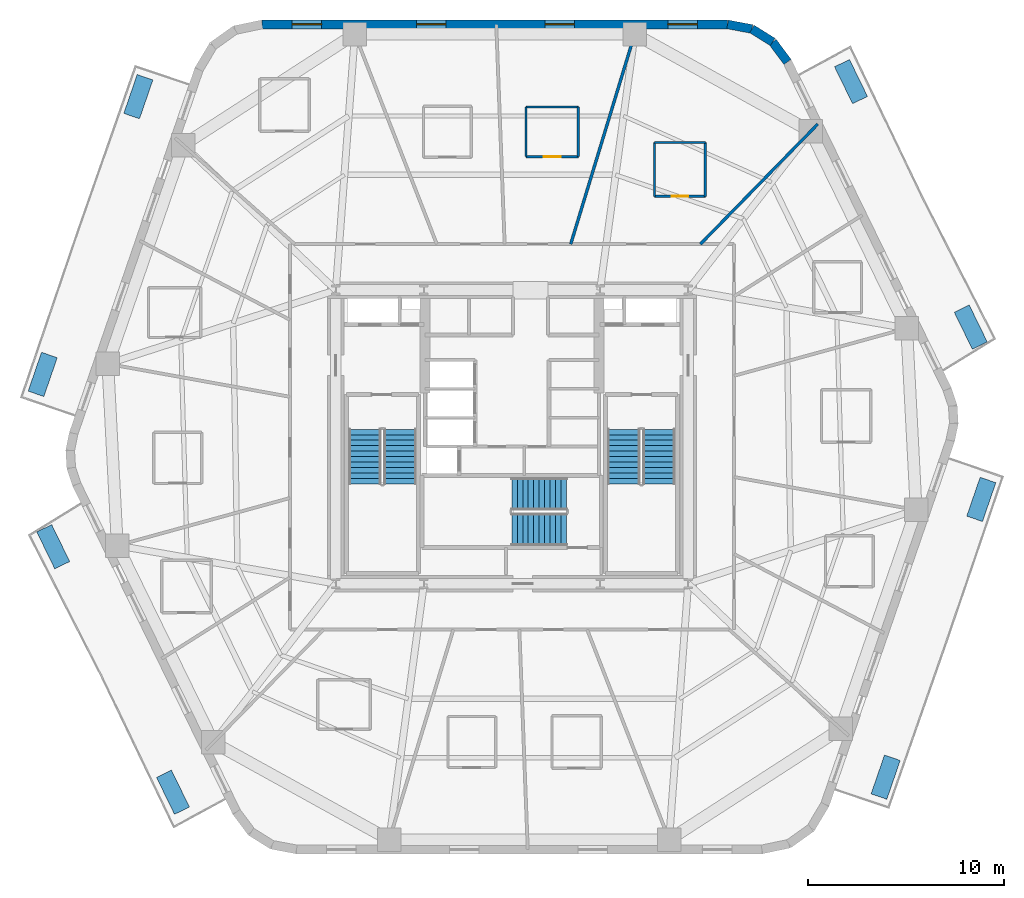
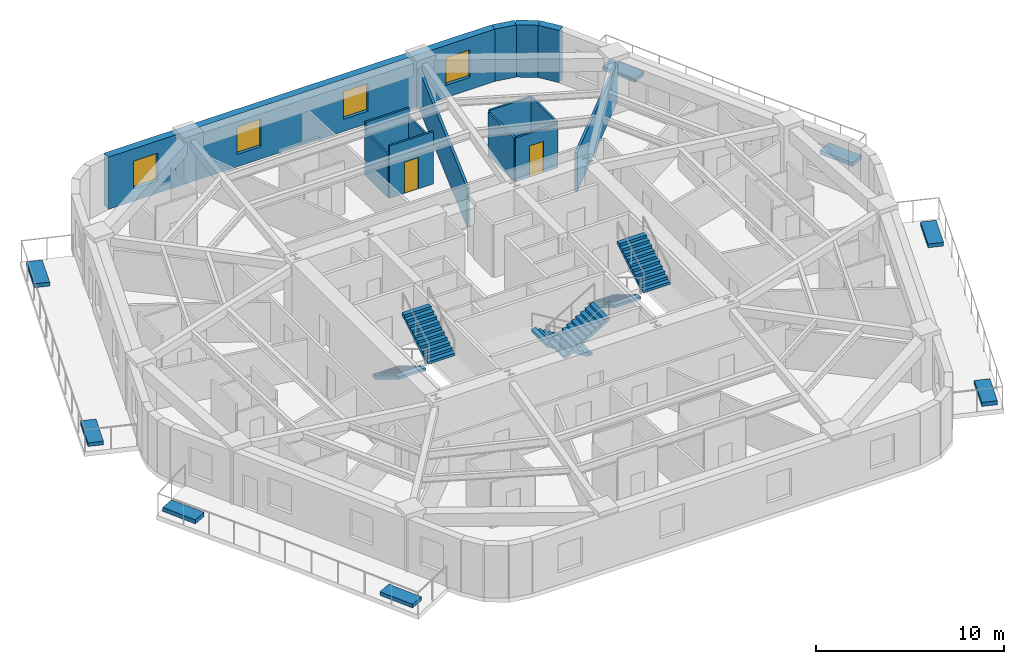
# One storey, part 7 of 10: 14 walls, 8 discrete accessories, 6 stair flights, 4 windows, 2 doors, 6 openings, 3 elements without a shape of their own.
"""IFC4 building model written with IfcOpenShell, lengths in metres."""

from ifc_helpers import new_model, si_unit, direction, frame, frame_2d, origin, origin_2d, place, context, subcontext, project, spatial, polyline, rectangle, outline, extrude, material, layer, layer_set, type_object, element, fill, aggregate, save


model = new_model("IFC4")

# Units and contexts
model_context = context("Model", 3, precision=1e-05, world=origin(), true_north=direction((0.0, 1.0)))
body_context = subcontext(model_context, "Body", "Model", "MODEL_VIEW")
ifc_project = project(units=[si_unit("LENGTHUNIT", "METRE"), si_unit("AREAUNIT", "SQUARE_METRE"), si_unit("VOLUMEUNIT", "CUBIC_METRE"), si_unit("PLANEANGLEUNIT", "RADIAN"), si_unit("MASSUNIT", "GRAM", prefix="KILO")], contexts=[model_context])

# Site, building, storey
site_placement = place(None, origin())
site = spatial("IfcSite", under=ifc_project, at=site_placement, CompositionType="ELEMENT")
building_placement = place(site_placement, origin())
building = spatial("IfcBuilding", under=site, at=building_placement, Name="Kilnhurst Terrace Hotel", CompositionType="ELEMENT")
storey_placement = place(building_placement, frame((0.0, 0.0, 117.300048828125)))
storey = spatial("IfcBuildingStorey", under=building, at=storey_placement, Name="L28", CompositionType="ELEMENT", Elevation=117.300048828125)

# Walls
ifc_material_1 = material(Name="Precast concrete C40/50", Category="concrete")
ifc_layer_1 = layer(ifc_material_1, 0.449951171875, Name="Precast concrete C40/50")
ifc_layer_set_1 = layer_set([ifc_layer_1], Name="Precast concrete C40/50")
wall_type_1 = type_object("IfcWallType", Name="WL-BRK-450", PredefinedType="SOLIDWALL", material=ifc_layer_set_1)
wall_1_placement = place(storey_placement, frame((14.07568359375, 19.16064453125, 0.0), z_axis=(0.0, 0.0, 1.0), x_axis=(-0.597226657159, 0.802072515412, 0.0)))
element("IfcWall", 1, at=wall_1_placement, inside=storey, type_object=wall_type_1, Name="L28 Rounded Corner Brick Wall C4.1", PredefinedType="SOLIDWALL", context=body_context, shape_type="SweptSolid", body=[
    extrude(rectangle(XDim=1.269287109375, YDim=0.449951171875, at=frame_2d((0.634765625, 0.0))), origin(), (0.0, 0.0, 1.0), 3.39990234375),
])
wall_2_placement = place(storey_placement, frame((13.317626953125, 20.1787109375, 0.0), z_axis=(0.0, 0.0, 1.0), x_axis=(-0.848031272749, 0.529946186362, 0.0)))
element("IfcWall", 2, at=wall_2_placement, inside=storey, type_object=wall_type_1, Name="L28 Rounded Corner Brick Wall C4.2", PredefinedType="SOLIDWALL", context=body_context, shape_type="SweptSolid", body=[
    extrude(rectangle(XDim=1.248046875, YDim=0.449951171875, at=frame_2d((0.6240234375, 0.0))), origin(), (0.0, 0.0, 1.0), 3.39990234375),
])
wall_3_placement = place(storey_placement, frame((12.25927734375, 20.840087890625, 0.0), z_axis=(0.0, 0.0, 1.0), x_axis=(-0.982730354425, 0.185043374624, 0.0)))
element("IfcWall", 3, at=wall_3_placement, inside=storey, type_object=wall_type_1, Name="L28 Rounded Corner Brick Wall C4.3", PredefinedType="SOLIDWALL", context=body_context, shape_type="SweptSolid", body=[
    extrude(rectangle(XDim=1.269287109375, YDim=0.449951171875, at=frame_2d((0.634765625, 0.0))), origin(), (0.0, 0.0, 1.0), 3.39990234375),
])

# Wall, openings, windows
wall_4_placement = place(storey_placement, frame((11.011962890625, 21.074951171875, 0.0), z_axis=(0.0, 0.0, 1.0), x_axis=(-1.0, 0.0, 0.0)))
wall_4 = element("IfcWall", 4, at=wall_4_placement, inside=storey, type_object=wall_type_1, Name="L28 Exterior Brick Facade Wall F4", PredefinedType="SOLIDWALL", context=body_context, shape_type="SweptSolid", body=[
    extrude(rectangle(XDim=23.782470703125, YDim=0.449951171875, at=frame_2d((11.89111328125, 0.0))), origin(), (0.0, 0.0, 1.0), 3.39990234375),
])
opening_1_placement = place(wall_4_placement, frame((1.5419921875, 0.0, 0.800048828125)))
opening_1 = element("IfcOpeningElement", 5, at=opening_1_placement, cuts=wall_4, Name="Opening W-02", PredefinedType="OPENING", context=body_context, shape_type="SweptSolid", body=[
    extrude(rectangle(XDim=1.5, YDim=1.800048828125, at=frame_2d((0.75, 0.89990234375))), frame((0.0, 0.23486328125, 0.0), z_axis=(0.0, -1.0, 0.0), x_axis=(1.0, 0.0, 0.0)), (0.0, 0.0, 1.0), 0.469970703125),
])
opening_2_placement = place(wall_4_placement, frame((7.820068359375, 0.0, 0.800048828125)))
opening_2 = element("IfcOpeningElement", 6, at=opening_2_placement, cuts=wall_4, Name="Opening W-02", PredefinedType="OPENING", context=body_context, shape_type="SweptSolid", body=[
    extrude(rectangle(XDim=1.5, YDim=1.800048828125, at=frame_2d((0.75, 0.89990234375))), frame((0.0, 0.23486328125, 0.0), z_axis=(0.0, -1.0, 0.0), x_axis=(1.0, 0.0, 0.0)), (0.0, 0.0, 1.0), 0.469970703125),
])
opening_3_placement = place(wall_4_placement, frame((14.387939453125, 0.0, 0.800048828125)))
opening_3 = element("IfcOpeningElement", 7, at=opening_3_placement, cuts=wall_4, Name="Opening W-02", PredefinedType="OPENING", context=body_context, shape_type="SweptSolid", body=[
    extrude(rectangle(XDim=1.5, YDim=1.800048828125, at=frame_2d((0.75, 0.89990234375))), frame((0.0, 0.23486328125, 0.0), z_axis=(0.0, -1.0, 0.0), x_axis=(1.0, 0.0, 0.0)), (0.0, 0.0, 1.0), 0.469970703125),
])
opening_4_placement = place(wall_4_placement, frame((20.740966796875, 0.0, 0.800048828125)))
opening_4 = element("IfcOpeningElement", 8, at=opening_4_placement, cuts=wall_4, Name="Opening W-02", PredefinedType="OPENING", context=body_context, shape_type="SweptSolid", body=[
    extrude(rectangle(XDim=1.5, YDim=1.800048828125, at=frame_2d((0.75, 0.89990234375))), frame((0.0, 0.23486328125, 0.0), z_axis=(0.0, -1.0, 0.0), x_axis=(1.0, 0.0, 0.0)), (0.0, 0.0, 1.0), 0.469970703125),
])
ifc_material_2 = material(Name="Thermally Broken Bronze Aluminium Alloy 6063-T6 and Low-E Glass", Category="aluminium")
window_type = type_object("IfcWindowType", Name="WIN-1500X1800", PartitioningType="SINGLE_PANEL", PredefinedType="WINDOW", material=ifc_material_2)
window_1_placement = place(opening_1_placement, origin())
window_1 = element("IfcWindow", 9, at=window_1_placement, inside=storey, type_object=window_type, Name="L28 Deep-Set Masonry Window F4.1", OverallHeight=1.800048828125, OverallWidth=1.5, PartitioningType="SINGLE_PANEL", PredefinedType="WINDOW", context=body_context, shape_type="SweptSolid", body=[
    extrude(rectangle(XDim=1.5, YDim=1.800048828125, at=frame_2d((0.75, 0.89990234375))), frame((0.0, 0.030029296875, 0.0), z_axis=(0.0, -1.0, 0.0), x_axis=(1.0, 0.0, 0.0)), (0.0, 0.0, 1.0), 0.06005859375),
])
fill(opening_1, window_1)
window_2_placement = place(opening_2_placement, origin())
window_2 = element("IfcWindow", 10, at=window_2_placement, inside=storey, type_object=window_type, Name="L28 Deep-Set Masonry Window F4.2", OverallHeight=1.800048828125, OverallWidth=1.5, PartitioningType="SINGLE_PANEL", PredefinedType="WINDOW", context=body_context, shape_type="SweptSolid", body=[
    extrude(rectangle(XDim=1.5, YDim=1.800048828125, at=frame_2d((0.75, 0.89990234375))), frame((0.0, 0.030029296875, 0.0), z_axis=(0.0, -1.0, 0.0), x_axis=(1.0, 0.0, 0.0)), (0.0, 0.0, 1.0), 0.06005859375),
])
fill(opening_2, window_2)
window_3_placement = place(opening_3_placement, origin())
window_3 = element("IfcWindow", 11, at=window_3_placement, inside=storey, type_object=window_type, Name="L28 Deep-Set Masonry Window F4.3", OverallHeight=1.800048828125, OverallWidth=1.5, PartitioningType="SINGLE_PANEL", PredefinedType="WINDOW", context=body_context, shape_type="SweptSolid", body=[
    extrude(rectangle(XDim=1.5, YDim=1.800048828125, at=frame_2d((0.75, 0.89990234375))), frame((0.0, 0.030029296875, 0.0), z_axis=(0.0, -1.0, 0.0), x_axis=(1.0, 0.0, 0.0)), (0.0, 0.0, 1.0), 0.06005859375),
])
fill(opening_3, window_3)
window_4_placement = place(opening_4_placement, origin())
window_4 = element("IfcWindow", 12, at=window_4_placement, inside=storey, type_object=window_type, Name="L28 Deep-Set Masonry Window F4.4", OverallHeight=1.800048828125, OverallWidth=1.5, PartitioningType="SINGLE_PANEL", PredefinedType="WINDOW", context=body_context, shape_type="SweptSolid", body=[
    extrude(rectangle(XDim=1.5, YDim=1.800048828125, at=frame_2d((0.75, 0.89990234375))), frame((0.0, 0.030029296875, 0.0), z_axis=(0.0, -1.0, 0.0), x_axis=(1.0, 0.0, 0.0)), (0.0, 0.0, 1.0), 0.06005859375),
])
fill(opening_4, window_4)

# Walls
ifc_material_3 = material(Name="STC-58 Acoustic Twin-Frame Guestroom Demising Partition")
ifc_layer_2 = layer(ifc_material_3, 0.14990234375, Name="STC-58 Acoustic Twin-Frame Guestroom Demising Partition")
ifc_layer_set_2 = layer_set([ifc_layer_2], Name="STC-58 Acoustic Twin-Frame Guestroom Demising Partition")
wall_type_2 = type_object("IfcWallType", Name="WL-DEM-150", PredefinedType="PARTITIONING", material=ifc_layer_set_2)
wall_5_placement = place(storey_placement, frame((9.6279296875, 9.85009765625, 0.0), z_axis=(0.0, 0.0, 1.0), x_axis=(0.698992824326, 0.715128681805, 0.0)))
element("IfcWall", 13, at=wall_5_placement, inside=storey, type_object=wall_type_2, Name="L28 Interior Wall WL-L28-DEM-COL02-03-1", PredefinedType="PARTITIONING", context=body_context, shape_type="SweptSolid", body=[
    extrude(rectangle(XDim=8.578857421875, YDim=0.14990234375, at=frame_2d((4.28955078125, 0.0))), origin(), (0.0, 0.0, 1.0), 2.5400390625),
])
wall_6_placement = place(storey_placement, frame((3.0, 9.85009765625, 0.0), z_axis=(0.0, 0.0, 1.0), x_axis=(0.291352035382, 0.95661590593, 0.0)))
element("IfcWall", 14, at=wall_6_placement, inside=storey, type_object=wall_type_2, Name="L28 Interior Wall WL-L28-DEM-COL03-04-1", PredefinedType="PARTITIONING", context=body_context, shape_type="SweptSolid", body=[
    extrude(rectangle(XDim=11.73388671875, YDim=0.14990234375, at=frame_2d((5.866943359375, 0.0))), origin(), (0.0, 0.0, 1.0), 2.5400390625),
])

# Wall, opening, door
ifc_material_4 = material(Name="120 mm Moisture-Resistant Tile-Backed Bathroom Partition")
ifc_layer_3 = layer(ifc_material_4, 0.1201171875, Name="120 mm Moisture-Resistant Tile-Backed Bathroom Partition")
ifc_layer_set_3 = layer_set([ifc_layer_3], Name="120 mm Moisture-Resistant Tile-Backed Bathroom Partition")
wall_type_3 = type_object("IfcWallType", Name="WL-PART-120", PredefinedType="PARTITIONING", material=ifc_layer_set_3)
wall_7_placement = place(storey_placement, frame((7.277099609375, 12.294921875, 0.0), z_axis=(0.0, 0.0, 1.0), x_axis=(1.0, 0.0, 0.0)))
wall_7 = element("IfcWall", 15, at=wall_7_placement, inside=storey, type_object=wall_type_3, Name="L28 Interior Wall WL-L28-BTH-03-1", PredefinedType="PARTITIONING", context=body_context, shape_type="SweptSolid", body=[
    extrude(rectangle(XDim=2.599853515625, YDim=0.1201171875, at=frame_2d((1.2998046875, 0.0))), origin(), (0.0, 0.0, 1.0), 2.84033203125),
])
opening_5_placement = place(wall_7_placement, frame((0.875, 0.0, 0.0)))
opening_5 = element("IfcOpeningElement", 16, at=opening_5_placement, cuts=wall_7, Name="Opening D-08A", PredefinedType="OPENING", context=body_context, shape_type="SweptSolid", body=[
    extrude(rectangle(XDim=0.85009765625, YDim=2.030029296875, at=frame_2d((0.425048828125, 1.01513671875))), frame((0.0, 0.070068359375, 0.0), z_axis=(0.0, -1.0, 0.0), x_axis=(1.0, 0.0, 0.0)), (0.0, 0.0, 1.0), 0.14013671875),
])
ifc_material_5 = material(Name="Moisture-Resistant Lacquered En-suite Bathroom Door")
door_type = type_object("IfcDoorType", Name="DR-INT-850", OperationType="NOTDEFINED", PredefinedType="DOOR", material=ifc_material_5)
door_1_placement = place(opening_5_placement, origin())
door_1 = element("IfcDoor", 17, at=door_1_placement, inside=storey, type_object=door_type, Name="L28 En-suite Bathroom Door 3", OperationType="SINGLE_SWING_RIGHT", OverallHeight=2.030029296875, OverallWidth=0.85009765625, PredefinedType="DOOR", context=body_context, shape_type="SweptSolid", body=[
    extrude(rectangle(XDim=0.85009765625, YDim=2.030029296875, at=frame_2d((0.425048828125, 1.01513671875))), frame((0.0, 0.02490234375, 0.0), z_axis=(0.0, -1.0, 0.0), x_axis=(1.0, 0.0, 0.0)), (0.0, 0.0, 1.0), 0.050048828125),
])
fill(opening_5, door_1)

# Walls
wall_8_placement = place(storey_placement, frame((9.876953125, 12.294921875, 0.0), z_axis=(0.0, 0.0, 1.0), x_axis=(0.0, 1.0, 0.0)))
element("IfcWall", 18, at=wall_8_placement, inside=storey, type_object=wall_type_3, Name="L28 Interior Wall WL-L28-BTH-03-2", PredefinedType="PARTITIONING", context=body_context, shape_type="SweptSolid", body=[
    extrude(rectangle(XDim=2.75, YDim=0.1201171875, at=frame_2d((1.375, 0.0))), origin(), (0.0, 0.0, 1.0), 2.97216796875),
])
wall_9_placement = place(storey_placement, frame((9.876953125, 15.044921875, 0.0), z_axis=(0.0, 0.0, 1.0), x_axis=(-1.0, 0.0, 0.0)))
element("IfcWall", 19, at=wall_9_placement, inside=storey, type_object=wall_type_3, Name="L28 Interior Wall WL-L28-BTH-03-3", PredefinedType="PARTITIONING", context=body_context, shape_type="SweptSolid", body=[
    extrude(rectangle(XDim=2.599853515625, YDim=0.1201171875, at=frame_2d((1.2998046875, 0.0))), origin(), (0.0, 0.0, 1.0), 2.97216796875),
])
wall_10_placement = place(storey_placement, frame((7.277099609375, 15.044921875, 0.0), z_axis=(0.0, 0.0, 1.0), x_axis=(0.0, -1.0, 0.0)))
element("IfcWall", 20, at=wall_10_placement, inside=storey, type_object=wall_type_3, Name="L28 Interior Wall WL-L28-BTH-03-4", PredefinedType="PARTITIONING", context=body_context, shape_type="SweptSolid", body=[
    extrude(rectangle(XDim=2.75, YDim=0.1201171875, at=frame_2d((1.375, 0.0))), origin(), (0.0, 0.0, 1.0), 2.84033203125),
])

# Wall, opening, door
wall_11_placement = place(storey_placement, frame((0.712890625, 14.31689453125, 0.0), z_axis=(0.0, 0.0, 1.0), x_axis=(1.0, 0.0, 0.0)))
wall_11 = element("IfcWall", 21, at=wall_11_placement, inside=storey, type_object=wall_type_3, Name="L28 Interior Wall WL-L28-BTH-04-1", PredefinedType="PARTITIONING", context=body_context, shape_type="SweptSolid", body=[
    extrude(rectangle(XDim=2.68017578125, YDim=0.1201171875, at=frame_2d((1.340087890625, 0.0))), origin(), (0.0, 0.0, 1.0), 3.39990234375),
])
opening_6_placement = place(wall_11_placement, frame((0.9150390625, 0.0, 0.0)))
opening_6 = element("IfcOpeningElement", 22, at=opening_6_placement, cuts=wall_11, Name="Opening D-08A", PredefinedType="OPENING", context=body_context, shape_type="SweptSolid", body=[
    extrude(rectangle(XDim=0.85009765625, YDim=2.030029296875, at=frame_2d((0.425048828125, 1.01513671875))), frame((0.0, 0.070068359375, 0.0), z_axis=(0.0, -1.0, 0.0), x_axis=(1.0, 0.0, 0.0)), (0.0, 0.0, 1.0), 0.14013671875),
])
door_2_placement = place(opening_6_placement, origin())
door_2 = element("IfcDoor", 23, at=door_2_placement, inside=storey, type_object=door_type, Name="L28 En-suite Bathroom Door 4", OperationType="SINGLE_SWING_LEFT", OverallHeight=2.030029296875, OverallWidth=0.85009765625, PredefinedType="DOOR", context=body_context, shape_type="SweptSolid", body=[
    extrude(rectangle(XDim=0.85009765625, YDim=2.030029296875, at=frame_2d((0.425048828125, 1.01513671875))), frame((0.0, 0.02490234375, 0.0), z_axis=(0.0, -1.0, 0.0), x_axis=(1.0, 0.0, 0.0)), (0.0, 0.0, 1.0), 0.050048828125),
])
fill(opening_6, door_2)

# Walls
wall_12_placement = place(storey_placement, frame((3.39306640625, 14.31689453125, 0.0), z_axis=(0.0, 0.0, 1.0), x_axis=(0.0, 1.0, 0.0)))
element("IfcWall", 24, at=wall_12_placement, inside=storey, type_object=wall_type_3, Name="L28 Interior Wall WL-L28-BTH-04-2", PredefinedType="PARTITIONING", context=body_context, shape_type="SweptSolid", body=[
    extrude(rectangle(XDim=2.5400390625, YDim=0.1201171875, at=frame_2d((1.27001953125, 0.0))), origin(), (0.0, 0.0, 1.0), 2.84033203125),
])
wall_13_placement = place(storey_placement, frame((3.39306640625, 16.85693359375, 0.0), z_axis=(0.0, 0.0, 1.0), x_axis=(-1.0, 0.0, 0.0)))
element("IfcWall", 25, at=wall_13_placement, inside=storey, type_object=wall_type_3, Name="L28 Interior Wall WL-L28-BTH-04-3", PredefinedType="PARTITIONING", context=body_context, shape_type="SweptSolid", body=[
    extrude(rectangle(XDim=2.68017578125, YDim=0.1201171875, at=frame_2d((1.340087890625, 0.0))), origin(), (0.0, 0.0, 1.0), 3.39990234375),
])
wall_14_placement = place(storey_placement, frame((0.712890625, 16.85693359375, 0.0), z_axis=(0.0, 0.0, 1.0), x_axis=(0.0, -1.0, 0.0)))
element("IfcWall", 26, at=wall_14_placement, inside=storey, type_object=wall_type_3, Name="L28 Interior Wall WL-L28-BTH-04-4", PredefinedType="PARTITIONING", context=body_context, shape_type="SweptSolid", body=[
    extrude(rectangle(XDim=2.5400390625, YDim=0.1201171875, at=frame_2d((1.27001953125, 0.0))), origin(), (0.0, 0.0, 1.0), 2.84033203125),
])

# Stair, stair flights
ifc_material_6 = material(Name="Concrete C50/60", Category="concrete")
stair_type = type_object("IfcStairType", Name="STR-CORE-1660", PredefinedType="HALF_TURN_STAIR", material=ifc_material_6)
stair_1_placement = place(storey_placement, origin())
stair_1 = element("IfcStair", 27, at=stair_1_placement, inside=storey, type_object=stair_type, Name="L28 ST-1", PredefinedType="HALF_TURN_STAIR")
stair_flight_type = type_object("IfcStairFlightType", Name="FLT-RC-1660", PredefinedType="STRAIGHT", material=ifc_material_6)
stair_flight_1_placement = place(storey_placement, frame((-7.52001953125, 0.389892578125, 0.0), z_axis=(0.0, 0.0, 1.0), x_axis=(0.0, -1.0, 0.0)))
stair_flight_1 = element("IfcStairFlight", 28, at=stair_flight_1_placement, type_object=stair_flight_type, Name="ST-1 flight 1", NumberOfRisers=11, NumberOfTreads=10, PredefinedType="STRAIGHT", RiserHeight=0.168181818, TreadLength=0.28, context=body_context, shape_type="SweptSolid", body=[
    extrude(outline(polyline([(0.0, 0.0), (0.0, 0.168212890625), (0.280029296875, 0.168212890625), (0.280029296875, 0.33642578125), (0.56005859375, 0.33642578125), (0.56005859375, 0.504638671875), (0.840087890625, 0.504638671875), (0.840087890625, 0.672607421875), (1.1201171875, 0.672607421875), (1.1201171875, 0.8408203125), (1.39990234375, 0.8408203125), (1.39990234375, 1.009033203125), (1.679931640625, 1.009033203125), (1.679931640625, 1.17724609375), (1.9599609375, 1.17724609375), (1.9599609375, 1.345458984375), (2.239990234375, 1.345458984375), (2.239990234375, 1.513671875), (2.52001953125, 1.513671875), (2.52001953125, 1.681884765625), (2.800048828125, 1.681884765625), (2.800048828125, 1.85009765625), (2.800048828125, 1.5068359375), (0.291015625, 0.0), (0.0, 0.0)])), frame((0.0, 0.830078125, 0.0), z_axis=(0.0, -1.0, 0.0), x_axis=(1.0, 0.0, 0.0)), (0.0, 0.0, 1.0), 1.659912109375),
])
stair_flight_2_placement = place(storey_placement, frame((-5.7099609375, -2.409912109375, 1.849853515625), z_axis=(0.0, 0.0, 1.0), x_axis=(0.0, 1.0, 0.0)))
stair_flight_2 = element("IfcStairFlight", 29, at=stair_flight_2_placement, type_object=stair_flight_type, Name="ST-1 flight 2", NumberOfRisers=11, NumberOfTreads=10, PredefinedType="STRAIGHT", RiserHeight=0.168181818, TreadLength=0.28, context=body_context, shape_type="SweptSolid", body=[
    extrude(outline(polyline([(0.0, 0.0), (0.0, 0.168212890625), (0.280029296875, 0.168212890625), (0.280029296875, 0.33642578125), (0.56005859375, 0.33642578125), (0.56005859375, 0.504638671875), (0.840087890625, 0.504638671875), (0.840087890625, 0.672607421875), (1.1201171875, 0.672607421875), (1.1201171875, 0.8408203125), (1.39990234375, 0.8408203125), (1.39990234375, 1.009033203125), (1.679931640625, 1.009033203125), (1.679931640625, 1.17724609375), (1.9599609375, 1.17724609375), (1.9599609375, 1.345458984375), (2.239990234375, 1.345458984375), (2.239990234375, 1.513671875), (2.52001953125, 1.513671875), (2.52001953125, 1.681884765625), (2.800048828125, 1.681884765625), (2.800048828125, 1.85009765625), (2.800048828125, 1.5068359375), (0.291015625, 0.0), (0.0, 0.0)])), frame((0.0, 0.830078125, 0.0), z_axis=(0.0, -1.0, 0.0), x_axis=(1.0, 0.0, 0.0)), (0.0, 0.0, 1.0), 1.659912109375),
])
aggregate(stair_1, [stair_flight_1, stair_flight_2])

stair_2_placement = place(storey_placement, origin())
stair_2 = element("IfcStair", 30, at=stair_2_placement, inside=storey, type_object=stair_type, Name="L28 ST-2", PredefinedType="HALF_TURN_STAIR")
stair_flight_3_placement = place(storey_placement, frame((5.7099609375, 0.389892578125, 0.0), z_axis=(0.0, 0.0, 1.0), x_axis=(0.0, -1.0, 0.0)))
stair_flight_3 = element("IfcStairFlight", 31, at=stair_flight_3_placement, type_object=stair_flight_type, Name="ST-2 flight 1", NumberOfRisers=11, NumberOfTreads=10, PredefinedType="STRAIGHT", RiserHeight=0.168181818, TreadLength=0.28, context=body_context, shape_type="SweptSolid", body=[
    extrude(outline(polyline([(0.0, 0.0), (0.0, 0.168212890625), (0.280029296875, 0.168212890625), (0.280029296875, 0.33642578125), (0.56005859375, 0.33642578125), (0.56005859375, 0.504638671875), (0.840087890625, 0.504638671875), (0.840087890625, 0.672607421875), (1.1201171875, 0.672607421875), (1.1201171875, 0.8408203125), (1.39990234375, 0.8408203125), (1.39990234375, 1.009033203125), (1.679931640625, 1.009033203125), (1.679931640625, 1.17724609375), (1.9599609375, 1.17724609375), (1.9599609375, 1.345458984375), (2.239990234375, 1.345458984375), (2.239990234375, 1.513671875), (2.52001953125, 1.513671875), (2.52001953125, 1.681884765625), (2.800048828125, 1.681884765625), (2.800048828125, 1.85009765625), (2.800048828125, 1.5068359375), (0.291015625, 0.0), (0.0, 0.0)])), frame((0.0, 0.830078125, 0.0), z_axis=(0.0, -1.0, 0.0), x_axis=(1.0, 0.0, 0.0)), (0.0, 0.0, 1.0), 1.659912109375),
])
stair_flight_4_placement = place(storey_placement, frame((7.52001953125, -2.409912109375, 1.849853515625), z_axis=(0.0, 0.0, 1.0), x_axis=(0.0, 1.0, 0.0)))
stair_flight_4 = element("IfcStairFlight", 32, at=stair_flight_4_placement, type_object=stair_flight_type, Name="ST-2 flight 2", NumberOfRisers=11, NumberOfTreads=10, PredefinedType="STRAIGHT", RiserHeight=0.168181818, TreadLength=0.28, context=body_context, shape_type="SweptSolid", body=[
    extrude(outline(polyline([(0.0, 0.0), (0.0, 0.168212890625), (0.280029296875, 0.168212890625), (0.280029296875, 0.33642578125), (0.56005859375, 0.33642578125), (0.56005859375, 0.504638671875), (0.840087890625, 0.504638671875), (0.840087890625, 0.672607421875), (1.1201171875, 0.672607421875), (1.1201171875, 0.8408203125), (1.39990234375, 0.8408203125), (1.39990234375, 1.009033203125), (1.679931640625, 1.009033203125), (1.679931640625, 1.17724609375), (1.9599609375, 1.17724609375), (1.9599609375, 1.345458984375), (2.239990234375, 1.345458984375), (2.239990234375, 1.513671875), (2.52001953125, 1.513671875), (2.52001953125, 1.681884765625), (2.800048828125, 1.681884765625), (2.800048828125, 1.85009765625), (2.800048828125, 1.5068359375), (0.291015625, 0.0), (0.0, 0.0)])), frame((0.0, 0.830078125, 0.0), z_axis=(0.0, -1.0, 0.0), x_axis=(1.0, 0.0, 0.0)), (0.0, 0.0, 1.0), 1.659912109375),
])
aggregate(stair_2, [stair_flight_3, stair_flight_4])

stair_3_placement = place(storey_placement, origin())
stair_3 = element("IfcStair", 33, at=stair_3_placement, inside=storey, type_object=stair_type, Name="L28 ST-3", PredefinedType="HALF_TURN_STAIR")
stair_flight_5_placement = place(storey_placement, frame((2.7900390625, -2.909912109375, 0.0), z_axis=(0.0, 0.0, 1.0), x_axis=(-1.0, 0.0, 0.0)))
stair_flight_5 = element("IfcStairFlight", 34, at=stair_flight_5_placement, type_object=stair_flight_type, Name="ST-3 flight 1", NumberOfRisers=11, NumberOfTreads=10, PredefinedType="STRAIGHT", RiserHeight=0.168181818, TreadLength=0.28, context=body_context, shape_type="SweptSolid", body=[
    extrude(outline(polyline([(0.0, 0.0), (0.0, 0.168212890625), (0.280029296875, 0.168212890625), (0.280029296875, 0.33642578125), (0.56005859375, 0.33642578125), (0.56005859375, 0.504638671875), (0.840087890625, 0.504638671875), (0.840087890625, 0.672607421875), (1.1201171875, 0.672607421875), (1.1201171875, 0.8408203125), (1.39990234375, 0.8408203125), (1.39990234375, 1.009033203125), (1.679931640625, 1.009033203125), (1.679931640625, 1.17724609375), (1.9599609375, 1.17724609375), (1.9599609375, 1.345458984375), (2.239990234375, 1.345458984375), (2.239990234375, 1.513671875), (2.52001953125, 1.513671875), (2.52001953125, 1.681884765625), (2.800048828125, 1.681884765625), (2.800048828125, 1.85009765625), (2.800048828125, 1.5068359375), (0.291015625, 0.0), (0.0, 0.0)])), frame((0.0, 0.830078125, 0.0), z_axis=(0.0, -1.0, 0.0), x_axis=(1.0, 0.0, 0.0)), (0.0, 0.0, 1.0), 1.659912109375),
])
stair_flight_6_placement = place(storey_placement, frame((-0.010009765625, -4.719970703125, 1.849853515625), z_axis=(0.0, 0.0, 1.0), x_axis=(1.0, 0.0, 0.0)))
stair_flight_6 = element("IfcStairFlight", 35, at=stair_flight_6_placement, type_object=stair_flight_type, Name="ST-3 flight 2", NumberOfRisers=11, NumberOfTreads=10, PredefinedType="STRAIGHT", RiserHeight=0.168181818, TreadLength=0.28, context=body_context, shape_type="SweptSolid", body=[
    extrude(outline(polyline([(0.0, 0.0), (0.0, 0.168212890625), (0.280029296875, 0.168212890625), (0.280029296875, 0.33642578125), (0.56005859375, 0.33642578125), (0.56005859375, 0.504638671875), (0.840087890625, 0.504638671875), (0.840087890625, 0.672607421875), (1.1201171875, 0.672607421875), (1.1201171875, 0.8408203125), (1.39990234375, 0.8408203125), (1.39990234375, 1.009033203125), (1.679931640625, 1.009033203125), (1.679931640625, 1.17724609375), (1.9599609375, 1.17724609375), (1.9599609375, 1.345458984375), (2.239990234375, 1.345458984375), (2.239990234375, 1.513671875), (2.52001953125, 1.513671875), (2.52001953125, 1.681884765625), (2.800048828125, 1.681884765625), (2.800048828125, 1.85009765625), (2.800048828125, 1.5068359375), (0.291015625, 0.0), (0.0, 0.0)])), frame((0.0, 0.830078125, 0.0), z_axis=(0.0, -1.0, 0.0), x_axis=(1.0, 0.0, 0.0)), (0.0, 0.0, 1.0), 1.659912109375),
])
aggregate(stair_3, [stair_flight_5, stair_flight_6])

# Discrete accessories
ifc_material_7 = material(Name="Precast Concrete C40/50 Shrub Planter", Category="concrete")
discrete_accessory_type_1 = type_object("IfcDiscreteAccessoryType", Name="PLN-SHRUB-240", PredefinedType="USERDEFINED", material=ifc_material_7)
for number, where, z_axis, x_axis, name in (
    (36, (23.9765625, -3.193115234375, 0.0), (0.0, 0.0, 1.0), (0.325601159083, 0.945507210551, 0.0), "L28 Structural Tree Planter Box PLANTER BAL-L1A.2"),
    (37, (17.321044921875, 18.15234375, 0.0), (0.0, 0.0, 1.0), (-0.438386833638, 0.898786395142, 0.0), "L28 Structural Tree Planter Box PLANTER BAL-L1B.2"),
    (38, (-23.9765625, 3.193115234375, 0.0), (0.0, 0.0, 1.0), (-0.325601159083, -0.945507210551, 0.0), "L28 Structural Tree Planter Box PLANTER BAL-L2A.2"),
    (39, (-17.321044921875, -18.15234375, 0.0), (0.0, 0.0, 1.0), (0.438386833638, -0.898786395142, 0.0), "L28 Structural Tree Planter Box PLANTER BAL-L2B.2"),
):
    element("IfcDiscreteAccessory", number, at=place(storey_placement, frame(where, z_axis=z_axis, x_axis=x_axis)), inside=storey, type_object=discrete_accessory_type_1, Name=name, ObjectType="PLANTER", PredefinedType="USERDEFINED", context=body_context, shape_type="SweptSolid", body=[
        extrude(rectangle(XDim=2.10009765625, YDim=0.85009765625, at=origin_2d()), origin(), (0.0, 0.0, 1.0), 0.239990234375),
    ])
ifc_material_8 = material(Name="Precast Concrete C40/50 Tree Planter", Category="concrete")
discrete_accessory_type_2 = type_object("IfcDiscreteAccessoryType", Name="PLN-TREE-260", PredefinedType="USERDEFINED", material=ifc_material_8)
for number, where, z_axis, x_axis, name in (
    (40, (19.090087890625, -17.3828125, 0.0), (0.0, 0.0, 1.0), (0.325601159083, 0.945507210551, 0.0), "L28 Structural Tree Planter Box PLANTER BAL-L1A.1"),
    (41, (23.4384765625, 5.6103515625, 0.0), (0.0, 0.0, 1.0), (-0.438386833638, 0.898786395142, 0.0), "L28 Structural Tree Planter Box PLANTER BAL-L1B.1"),
    (42, (-19.090087890625, 17.3828125, 0.0), (0.0, 0.0, 1.0), (-0.325601159083, -0.945507210551, 0.0), "L28 Structural Tree Planter Box PLANTER BAL-L2A.1"),
    (43, (-23.4384765625, -5.6103515625, 0.0), (0.0, 0.0, 1.0), (0.438386833638, -0.898786395142, 0.0), "L28 Structural Tree Planter Box PLANTER BAL-L2B.1"),
):
    element("IfcDiscreteAccessory", number, at=place(storey_placement, frame(where, z_axis=z_axis, x_axis=x_axis)), inside=storey, type_object=discrete_accessory_type_2, Name=name, ObjectType="PLANTER", PredefinedType="USERDEFINED", context=body_context, shape_type="SweptSolid", body=[
        extrude(rectangle(XDim=2.10009765625, YDim=0.85009765625, at=origin_2d()), origin(), (0.0, 0.0, 1.0), 0.260009765625),
    ])

save(model, "model.ifc")
